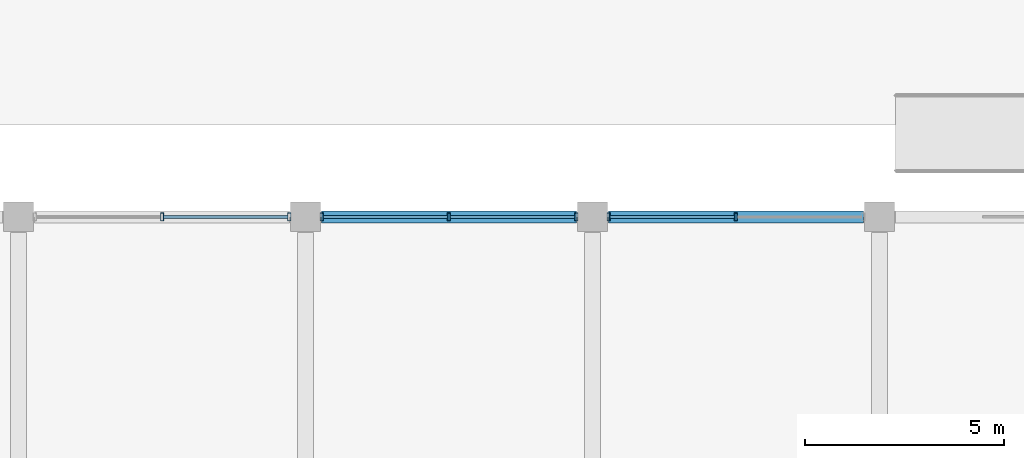
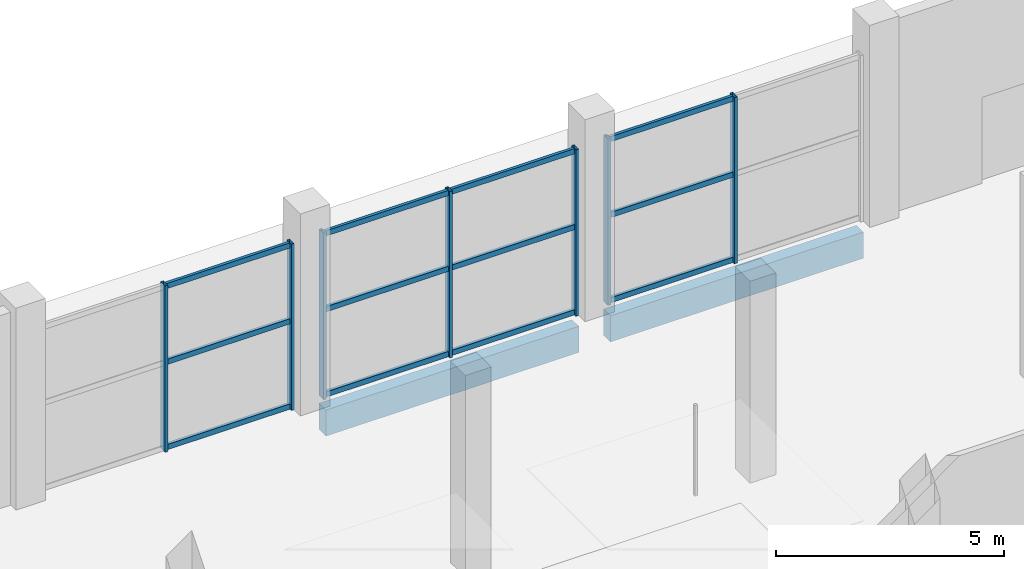
# One storey, part 36 of 90: 19 members, 2 beams, 3 elements without a shape of their own.
"""IFC4 building model written with IfcOpenShell, lengths in metres."""

from ifc_helpers import new_model, si_unit, direction, frame, origin, origin_2d, place, context, subcontext, project, spatial, rectangle, hollow_rectangle, extrude, material, layer, layer_set, material_profile, profile_set, type_object, element, aggregate, save


model = new_model("IFC4")

# Units and contexts
model_context = context("Model", 3, precision=1e-05, world=origin(), true_north=direction((0.0, 1.0)))
body_context = subcontext(model_context, "Body", "Model", "MODEL_VIEW")
ifc_project = project(units=[si_unit("LENGTHUNIT", "METRE"), si_unit("AREAUNIT", "SQUARE_METRE"), si_unit("VOLUMEUNIT", "CUBIC_METRE"), si_unit("PLANEANGLEUNIT", "RADIAN"), si_unit("MASSUNIT", "GRAM", prefix="KILO")], contexts=[model_context])

# Site, building, storey
site_placement = place(None, origin())
site = spatial("IfcSite", under=ifc_project, at=site_placement, CompositionType="ELEMENT")
building_placement = place(site_placement, origin())
building = spatial("IfcBuilding", under=site, at=building_placement, Name="Kangsadwip Square Police Headquarters", CompositionType="ELEMENT")
storey_placement = place(building_placement, origin())
storey = spatial("IfcBuildingStorey", under=building, at=storey_placement, Name="L00", CompositionType="ELEMENT", Elevation=0.0)

# Curtain wall, members
ifc_material_1 = material(Name="Thermally broken anodised aluminium AW-6063-T6", Category="aluminium")
ifc_layer = layer(ifc_material_1, 0.159912109375)
ifc_layer_set = layer_set([ifc_layer], Name="Thermally broken anodised aluminium AW-6063-T6")
curtain_wall_type = type_object("IfcCurtainWallType", Name="UnitisedCw6460x4450", PredefinedType="NOTDEFINED", material=ifc_layer_set)
curtain_wall_1_placement = place(storey_placement, origin())
curtain_wall_1 = element("IfcCurtainWall", 1, at=curtain_wall_1_placement, inside=storey, type_object=curtain_wall_type, Name="Curtain Wall CW-L00-1084-1152", PredefinedType="NOTDEFINED")
ifc_material_2 = material(Name="Thermally broken anodised aluminium AW-6063-T6", Category="aluminium")
ifc_material_profile_1 = material_profile(ifc_material_2, hollow_rectangle(XDim=0.074951171875, YDim=0.199951171875, WallThickness=0.0048828125, at=origin_2d()), Name="CWM 200X75X5")
ifc_profile_set_1 = profile_set([ifc_material_profile_1], Name="Thermally broken anodised aluminium AW-6063-T6")
member_type_1 = type_object("IfcMemberType", Name="CwMullion180x75", PredefinedType="MULLION", material=ifc_profile_set_1)
member_1_placement = place(storey_placement, frame((111.60009765625, 115.199951171875, 0.0), z_axis=(0.0, 0.0, 1.0), x_axis=(1.0, 0.0, 0.0)))
member_1 = element("IfcMember", 2, at=member_1_placement, type_object=member_type_1, Name="CW-10 mullion 2", PredefinedType="MULLION", context=body_context, shape_type="SweptSolid", body=[
    extrude(hollow_rectangle(XDim=0.074951171875, YDim=0.199951171875, WallThickness=0.0048828125, at=origin_2d()), origin(), (0.0, 0.0, 1.0), 4.449951171875),
])
member_2_placement = place(storey_placement, frame((114.79248046875, 115.199951171875, 0.0), z_axis=(0.0, 0.0, 1.0), x_axis=(1.0, 0.0, 0.0)))
member_2 = element("IfcMember", 3, at=member_2_placement, type_object=member_type_1, Name="CW-10 mullion 3", PredefinedType="MULLION", context=body_context, shape_type="SweptSolid", body=[
    extrude(hollow_rectangle(XDim=0.074951171875, YDim=0.199951171875, WallThickness=0.0048828125, at=origin_2d()), origin(), (0.0, 0.0, 1.0), 4.449951171875),
])

curtain_wall_2_placement = place(storey_placement, origin())
curtain_wall_2 = element("IfcCurtainWall", 4, at=curtain_wall_2_placement, inside=storey, type_object=curtain_wall_type, Name="Curtain Wall CW-L00-1156-1152", PredefinedType="NOTDEFINED")
member_3_placement = place(storey_placement, frame((115.607421875, 115.199951171875, 0.0), z_axis=(0.0, 0.0, 1.0), x_axis=(1.0, 0.0, 0.0)))
member_3 = element("IfcMember", 5, at=member_3_placement, type_object=member_type_1, Name="CW-10 mullion 1", PredefinedType="MULLION", context=body_context, shape_type="SweptSolid", body=[
    extrude(hollow_rectangle(XDim=0.074951171875, YDim=0.199951171875, WallThickness=0.0048828125, at=origin_2d()), origin(), (0.0, 0.0, 1.0), 4.449951171875),
])
member_4_placement = place(storey_placement, frame((118.800048828125, 115.199951171875, 0.0), z_axis=(0.0, 0.0, 1.0), x_axis=(1.0, 0.0, 0.0)))
member_4 = element("IfcMember", 6, at=member_4_placement, type_object=member_type_1, Name="CW-10 mullion 2", PredefinedType="MULLION", context=body_context, shape_type="SweptSolid", body=[
    extrude(hollow_rectangle(XDim=0.074951171875, YDim=0.199951171875, WallThickness=0.0048828125, at=origin_2d()), origin(), (0.0, 0.0, 1.0), 4.449951171875),
])
member_5_placement = place(storey_placement, frame((121.992431640625, 115.199951171875, 0.0), z_axis=(0.0, 0.0, 1.0), x_axis=(1.0, 0.0, 0.0)))
member_5 = element("IfcMember", 7, at=member_5_placement, type_object=member_type_1, Name="CW-10 mullion 3", PredefinedType="MULLION", context=body_context, shape_type="SweptSolid", body=[
    extrude(hollow_rectangle(XDim=0.074951171875, YDim=0.199951171875, WallThickness=0.0048828125, at=origin_2d()), origin(), (0.0, 0.0, 1.0), 4.449951171875),
])

curtain_wall_3_placement = place(storey_placement, origin())
curtain_wall_3 = element("IfcCurtainWall", 8, at=curtain_wall_3_placement, inside=storey, type_object=curtain_wall_type, Name="Curtain Wall CW-L00-1228-1152", PredefinedType="NOTDEFINED")
member_6_placement = place(storey_placement, frame((122.8076171875, 115.199951171875, 0.0), z_axis=(0.0, 0.0, 1.0), x_axis=(1.0, 0.0, 0.0)))
member_6 = element("IfcMember", 9, at=member_6_placement, type_object=member_type_1, Name="CW-10 mullion 1", PredefinedType="MULLION", context=body_context, shape_type="SweptSolid", body=[
    extrude(hollow_rectangle(XDim=0.074951171875, YDim=0.199951171875, WallThickness=0.0048828125, at=origin_2d()), origin(), (0.0, 0.0, 1.0), 4.449951171875),
])
member_7_placement = place(storey_placement, frame((126.0, 115.199951171875, 0.0), z_axis=(0.0, 0.0, 1.0), x_axis=(1.0, 0.0, 0.0)))
member_7 = element("IfcMember", 10, at=member_7_placement, type_object=member_type_1, Name="CW-10 mullion 2", PredefinedType="MULLION", context=body_context, shape_type="SweptSolid", body=[
    extrude(hollow_rectangle(XDim=0.074951171875, YDim=0.199951171875, WallThickness=0.0048828125, at=origin_2d()), origin(), (0.0, 0.0, 1.0), 4.449951171875),
])

# Member
ifc_material_3 = material(Name="Thermally broken anodised aluminium AW-6063-T6", Category="aluminium")
ifc_material_profile_2 = material_profile(ifc_material_3, hollow_rectangle(XDim=0.074951171875, YDim=0.139892578125, WallThickness=0.0048828125, at=origin_2d()), Name="CWT 140X75X5")
ifc_profile_set_2 = profile_set([ifc_material_profile_2], Name="Thermally broken anodised aluminium AW-6063-T6")
member_type_2 = type_object("IfcMemberType", Name="CwTransom160x65", PredefinedType="USERDEFINED", material=ifc_profile_set_2)
member_8_placement = place(storey_placement, frame((111.637451171875, 115.199951171875, 0.070068359375), z_axis=(1.0, 0.0, 0.0), x_axis=(0.0, 1.0, 0.0)))
member_8 = element("IfcMember", 11, at=member_8_placement, type_object=member_type_2, Name="CW-10 transom 2.1", ObjectType="TRANSOM", PredefinedType="USERDEFINED", context=body_context, shape_type="SweptSolid", body=[
    extrude(hollow_rectangle(XDim=0.074951171875, YDim=0.139892578125, WallThickness=0.0048828125, at=origin_2d()), origin(), (0.0, 0.0, 1.0), 3.117431640625),
])

member_9_placement = place(storey_placement, frame((111.637451171875, 115.199951171875, 2.35009765625), z_axis=(1.0, 0.0, 0.0), x_axis=(0.0, 1.0, 0.0)))
member_9 = element("IfcMember", 12, at=member_9_placement, type_object=member_type_2, Name="CW-10 transom 2.2", ObjectType="TRANSOM", PredefinedType="USERDEFINED", context=body_context, shape_type="SweptSolid", body=[
    extrude(hollow_rectangle(XDim=0.074951171875, YDim=0.139892578125, WallThickness=0.0048828125, at=origin_2d()), origin(), (0.0, 0.0, 1.0), 3.117431640625),
])

member_10_placement = place(storey_placement, frame((111.637451171875, 115.199951171875, 4.3798828125), z_axis=(1.0, 0.0, 0.0), x_axis=(0.0, 1.0, 0.0)))
member_10 = element("IfcMember", 13, at=member_10_placement, type_object=member_type_2, Name="CW-10 transom 2.3", ObjectType="TRANSOM", PredefinedType="USERDEFINED", context=body_context, shape_type="SweptSolid", body=[
    extrude(hollow_rectangle(XDim=0.074951171875, YDim=0.139892578125, WallThickness=0.0048828125, at=origin_2d()), origin(), (0.0, 0.0, 1.0), 3.117431640625),
])

aggregate(curtain_wall_1, [member_1, member_2, member_8, member_9, member_10])

member_11_placement = place(storey_placement, frame((115.64501953125, 115.199951171875, 0.070068359375), z_axis=(1.0, 0.0, 0.0), x_axis=(0.0, 1.0, 0.0)))
member_11 = element("IfcMember", 14, at=member_11_placement, type_object=member_type_2, Name="CW-10 transom 1.1", ObjectType="TRANSOM", PredefinedType="USERDEFINED", context=body_context, shape_type="SweptSolid", body=[
    extrude(hollow_rectangle(XDim=0.074951171875, YDim=0.139892578125, WallThickness=0.0048828125, at=origin_2d()), origin(), (0.0, 0.0, 1.0), 3.117431640625),
])

member_12_placement = place(storey_placement, frame((115.64501953125, 115.199951171875, 2.35009765625), z_axis=(1.0, 0.0, 0.0), x_axis=(0.0, 1.0, 0.0)))
member_12 = element("IfcMember", 15, at=member_12_placement, type_object=member_type_2, Name="CW-10 transom 1.2", ObjectType="TRANSOM", PredefinedType="USERDEFINED", context=body_context, shape_type="SweptSolid", body=[
    extrude(hollow_rectangle(XDim=0.074951171875, YDim=0.139892578125, WallThickness=0.0048828125, at=origin_2d()), origin(), (0.0, 0.0, 1.0), 3.117431640625),
])

member_13_placement = place(storey_placement, frame((115.64501953125, 115.199951171875, 4.3798828125), z_axis=(1.0, 0.0, 0.0), x_axis=(0.0, 1.0, 0.0)))
member_13 = element("IfcMember", 16, at=member_13_placement, type_object=member_type_2, Name="CW-10 transom 1.3", ObjectType="TRANSOM", PredefinedType="USERDEFINED", context=body_context, shape_type="SweptSolid", body=[
    extrude(hollow_rectangle(XDim=0.074951171875, YDim=0.139892578125, WallThickness=0.0048828125, at=origin_2d()), origin(), (0.0, 0.0, 1.0), 3.117431640625),
])

member_14_placement = place(storey_placement, frame((118.83740234375, 115.199951171875, 0.070068359375), z_axis=(1.0, 0.0, 0.0), x_axis=(0.0, 1.0, 0.0)))
member_14 = element("IfcMember", 17, at=member_14_placement, type_object=member_type_2, Name="CW-10 transom 2.1", ObjectType="TRANSOM", PredefinedType="USERDEFINED", context=body_context, shape_type="SweptSolid", body=[
    extrude(hollow_rectangle(XDim=0.074951171875, YDim=0.139892578125, WallThickness=0.0048828125, at=origin_2d()), origin(), (0.0, 0.0, 1.0), 3.11767578125),
])

member_15_placement = place(storey_placement, frame((118.83740234375, 115.199951171875, 2.35009765625), z_axis=(1.0, 0.0, 0.0), x_axis=(0.0, 1.0, 0.0)))
member_15 = element("IfcMember", 18, at=member_15_placement, type_object=member_type_2, Name="CW-10 transom 2.2", ObjectType="TRANSOM", PredefinedType="USERDEFINED", context=body_context, shape_type="SweptSolid", body=[
    extrude(hollow_rectangle(XDim=0.074951171875, YDim=0.139892578125, WallThickness=0.0048828125, at=origin_2d()), origin(), (0.0, 0.0, 1.0), 3.11767578125),
])

member_16_placement = place(storey_placement, frame((118.83740234375, 115.199951171875, 4.3798828125), z_axis=(1.0, 0.0, 0.0), x_axis=(0.0, 1.0, 0.0)))
member_16 = element("IfcMember", 19, at=member_16_placement, type_object=member_type_2, Name="CW-10 transom 2.3", ObjectType="TRANSOM", PredefinedType="USERDEFINED", context=body_context, shape_type="SweptSolid", body=[
    extrude(hollow_rectangle(XDim=0.074951171875, YDim=0.139892578125, WallThickness=0.0048828125, at=origin_2d()), origin(), (0.0, 0.0, 1.0), 3.11767578125),
])

aggregate(curtain_wall_2, [member_3, member_4, member_5, member_11, member_12, member_13, member_14, member_15, member_16])

member_17_placement = place(storey_placement, frame((122.844970703125, 115.199951171875, 0.070068359375), z_axis=(1.0, 0.0, 0.0), x_axis=(0.0, 1.0, 0.0)))
member_17 = element("IfcMember", 20, at=member_17_placement, type_object=member_type_2, Name="CW-10 transom 1.1", ObjectType="TRANSOM", PredefinedType="USERDEFINED", context=body_context, shape_type="SweptSolid", body=[
    extrude(hollow_rectangle(XDim=0.074951171875, YDim=0.139892578125, WallThickness=0.0048828125, at=origin_2d()), origin(), (0.0, 0.0, 1.0), 3.117431640625),
])

member_18_placement = place(storey_placement, frame((122.844970703125, 115.199951171875, 2.35009765625), z_axis=(1.0, 0.0, 0.0), x_axis=(0.0, 1.0, 0.0)))
member_18 = element("IfcMember", 21, at=member_18_placement, type_object=member_type_2, Name="CW-10 transom 1.2", ObjectType="TRANSOM", PredefinedType="USERDEFINED", context=body_context, shape_type="SweptSolid", body=[
    extrude(hollow_rectangle(XDim=0.074951171875, YDim=0.139892578125, WallThickness=0.0048828125, at=origin_2d()), origin(), (0.0, 0.0, 1.0), 3.117431640625),
])

member_19_placement = place(storey_placement, frame((122.844970703125, 115.199951171875, 4.3798828125), z_axis=(1.0, 0.0, 0.0), x_axis=(0.0, 1.0, 0.0)))
member_19 = element("IfcMember", 22, at=member_19_placement, type_object=member_type_2, Name="CW-10 transom 1.3", ObjectType="TRANSOM", PredefinedType="USERDEFINED", context=body_context, shape_type="SweptSolid", body=[
    extrude(hollow_rectangle(XDim=0.074951171875, YDim=0.139892578125, WallThickness=0.0048828125, at=origin_2d()), origin(), (0.0, 0.0, 1.0), 3.117431640625),
])

aggregate(curtain_wall_3, [member_6, member_7, member_17, member_18, member_19])

# Beams
ifc_material_4 = material(Name="Concrete M40 (40 MPa)", Category="concrete")
ifc_material_profile_3 = material_profile(ifc_material_4, rectangle(XDim=0.300048828125, YDim=0.699951171875, at=origin_2d()), Name="RC SPN 700X300")
ifc_profile_set_3 = profile_set([ifc_material_profile_3], Name="Concrete M40 (40 MPa)")
beam_type = type_object("IfcBeamType", Name="RcSpandrel700x300", PredefinedType="SPANDREL", material=ifc_profile_set_3)
for number, where, z_axis, x_axis, name in (
    (23, (115.60009765625, 115.199951171875, -0.60009765625), (1.0, 0.0, 0.0), (0.0, 1.0, 0.0), "Beam BM-L00-X-16-16"),
    (24, (122.800048828125, 115.199951171875, -0.60009765625), (1.0, 0.0, 0.0), (0.0, 1.0, 0.0), "Beam BM-L00-X-17-16"),
):
    element("IfcBeam", number, at=place(storey_placement, frame(where, z_axis=z_axis, x_axis=x_axis)), inside=storey, type_object=beam_type, Name=name, PredefinedType="SPANDREL", context=body_context, shape_type="SweptSolid", body=[
        extrude(rectangle(XDim=0.300048828125, YDim=0.699951171875, at=origin_2d()), origin(), (0.0, 0.0, 1.0), 6.39990234375),
    ])

save(model, "model.ifc")
